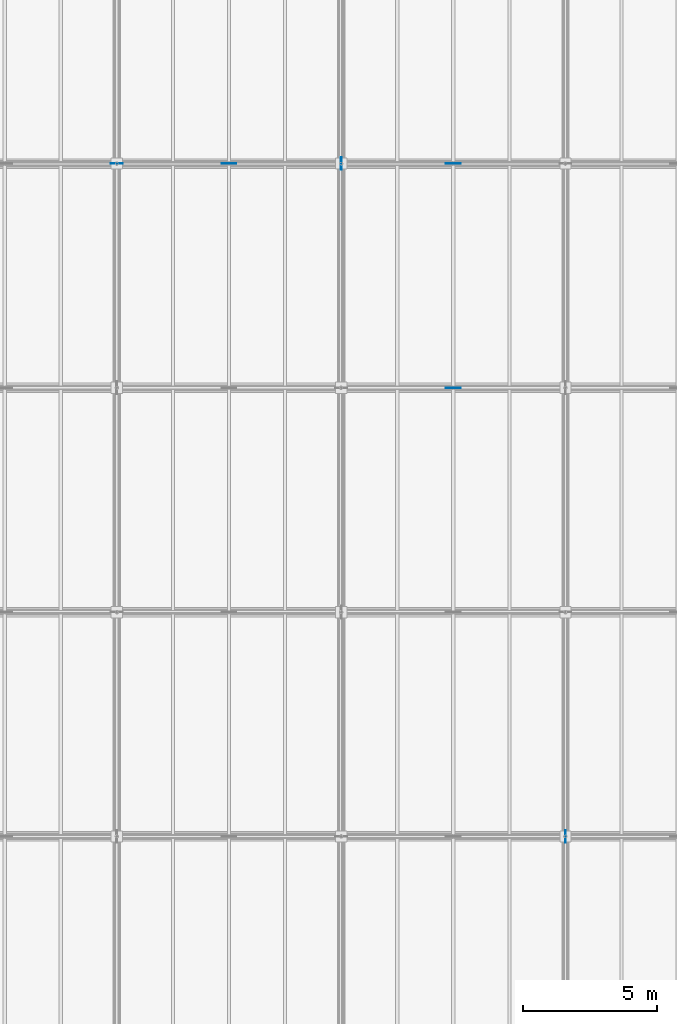
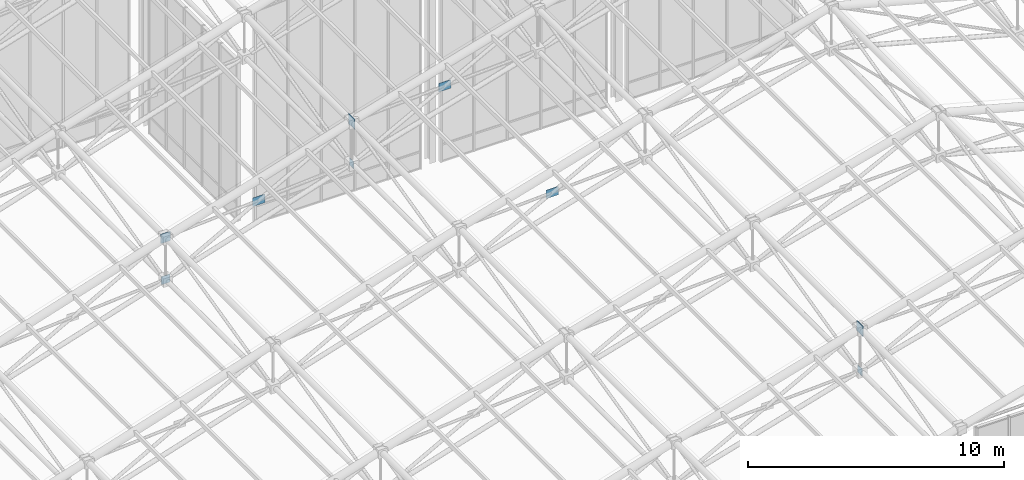
# One storey, part 119 of 144: 9 plates.
"""IFC4 building model written with IfcOpenShell, lengths in metres."""

from ifc_helpers import new_model, si_unit, direction, frame, origin, origin_2d, place, context, subcontext, project, spatial, rectangle, extrude, material, layer, layer_set, type_object, element, save


model = new_model("IFC4")

# Units and contexts
model_context = context("Model", 3, precision=1e-05, world=origin(), true_north=direction((0.0, 1.0)))
body_context = subcontext(model_context, "Body", "Model", "MODEL_VIEW")
ifc_project = project(units=[si_unit("LENGTHUNIT", "METRE"), si_unit("AREAUNIT", "SQUARE_METRE"), si_unit("VOLUMEUNIT", "CUBIC_METRE"), si_unit("PLANEANGLEUNIT", "RADIAN"), si_unit("MASSUNIT", "GRAM", prefix="KILO")], contexts=[model_context])

# Site, building, storey
site_placement = place(None, origin())
site = spatial("IfcSite", under=ifc_project, at=site_placement, CompositionType="ELEMENT")
building_placement = place(site_placement, origin())
building = spatial("IfcBuilding", under=site, at=building_placement, Name="Zayran Congress Hotel", CompositionType="ELEMENT")
storey_placement = place(building_placement, frame((0.0, 0.0, 19.199951171875)))
storey = spatial("IfcBuildingStorey", under=building, at=storey_placement, Name="L04", CompositionType="ELEMENT", Elevation=19.199951171875)

# Plates
ifc_material = material(Name="Steel S355", Category="steel")
ifc_layer_1 = layer(ifc_material, 0.02490234375)
ifc_layer_set_1 = layer_set([ifc_layer_1], Name="Steel S355")
plate_type_1 = type_object("IfcPlateType", Name="TP-SN-CP1", PredefinedType="USERDEFINED", material=ifc_layer_set_1)
plate_1_placement = place(storey_placement, frame((25.199951171875, 101.199951171875, 7.08203125), z_axis=(0.0, 0.0, 1.0), x_axis=(1.0, 0.0, 0.0)))
element("IfcPlate", 1, at=plate_1_placement, inside=storey, type_object=plate_type_1, Name="Space Frame Node Cap Plate 19", ObjectType="GUSSET_PLATE", PredefinedType="USERDEFINED", context=body_context, shape_type="SweptSolid", body=[
    extrude(rectangle(XDim=0.43994140625, YDim=0.02490234375, at=origin_2d()), origin(), (0.0, 0.0, 1.0), 0.43994140625),
])
ifc_layer_2 = layer(ifc_material, 0.02490234375)
ifc_layer_set_2 = layer_set([ifc_layer_2], Name="Steel S355")
plate_type_2 = type_object("IfcPlateType", Name="TP-SN-CP2", PredefinedType="USERDEFINED", material=ifc_layer_set_2)
plate_2_placement = place(storey_placement, frame((25.199951171875, 101.199951171875, 5.110107421875), z_axis=(0.0, 0.0, 1.0), x_axis=(1.0, 0.0, 0.0)))
element("IfcPlate", 2, at=plate_2_placement, inside=storey, type_object=plate_type_2, Name="Space Frame Node Cap Plate 96", ObjectType="GUSSET_PLATE", PredefinedType="USERDEFINED", context=body_context, shape_type="SweptSolid", body=[
    extrude(rectangle(XDim=0.3798828125, YDim=0.02490234375, at=origin_2d()), origin(), (0.0, 0.0, 1.0), 0.3798828125),
])
ifc_layer_3 = layer(ifc_material, 0.02001953125)
ifc_layer_set_3 = layer_set([ifc_layer_3], Name="Steel S355")
plate_type_3 = type_object("IfcPlateType", Name="TP-SN-CP3", PredefinedType="USERDEFINED", material=ifc_layer_set_3)
for number, where, z_axis, x_axis, name in (
    (3, (33.60009765625, 101.199951171875, 7.72998046875), (0.0, 0.0, 1.0), (0.0, 1.0, 0.0), "Space Frame Node Cap Plate 103"),
    (4, (42.0, 76.0, 10.18017578125), (0.0, 0.0, 1.0), (0.0, 1.0, 0.0), "Space Frame Node Cap Plate 107"),
):
    element("IfcPlate", number, at=place(storey_placement, frame(where, z_axis=z_axis, x_axis=x_axis)), inside=storey, type_object=plate_type_3, Name=name, ObjectType="GUSSET_PLATE", PredefinedType="USERDEFINED", context=body_context, shape_type="SweptSolid", body=[
        extrude(rectangle(XDim=0.340087890625, YDim=0.02001953125, at=origin_2d()), origin(), (0.0, 0.0, 1.0), 0.340087890625),
    ])
ifc_layer_4 = layer(ifc_material, 0.028076171875)
ifc_layer_set_4 = layer_set([ifc_layer_4], Name="Steel S355")
plate_type_4 = type_object("IfcPlateType", Name="TP-SN-CP4", PredefinedType="USERDEFINED", material=ifc_layer_set_4)
for number, where, z_axis, x_axis, name in (
    (5, (33.60009765625, 101.199951171875, 9.662109375), (0.0, 0.0, 1.0), (0.0, 1.0, 0.0), "Space Frame Node Cap Plate 26"),
    (6, (42.0, 76.0, 12.112060546875), (0.0, 0.0, 1.0), (0.0, 1.0, 0.0), "Space Frame Node Cap Plate 30"),
):
    element("IfcPlate", number, at=place(storey_placement, frame(where, z_axis=z_axis, x_axis=x_axis)), inside=storey, type_object=plate_type_4, Name=name, ObjectType="GUSSET_PLATE", PredefinedType="USERDEFINED", context=body_context, shape_type="SweptSolid", body=[
        extrude(rectangle(XDim=0.47998046875, YDim=0.028076171875, at=origin_2d()), origin(), (0.0, 0.0, 1.0), 0.47998046875),
    ])
ifc_layer_5 = layer(ifc_material, 0.02490234375)
ifc_layer_set_5 = layer_set([ifc_layer_5], Name="Steel S355")
plate_type_5 = type_object("IfcPlateType", Name="TP-GS-01", PredefinedType="USERDEFINED", material=ifc_layer_set_5)
for number, where, z_axis, x_axis, name in (
    (7, (29.39990234375, 101.199951171875, 7.401123046875), (0.0, 0.0, 1.0), (1.0, 0.0, 0.0), "V1 Brace Crossing Gusset Plate 25"),
    (8, (37.800048828125, 92.800048828125, 9.926025390625), (0.0, 0.0, 1.0), (1.0, 0.0, 0.0), "V1 Brace Crossing Gusset Plate 31"),
    (9, (37.800048828125, 101.199951171875, 9.926025390625), (0.0, 0.0, 1.0), (1.0, 0.0, 0.0), "V1 Brace Crossing Gusset Plate 32"),
):
    element("IfcPlate", number, at=place(storey_placement, frame(where, z_axis=z_axis, x_axis=x_axis)), inside=storey, type_object=plate_type_5, Name=name, ObjectType="GUSSET_PLATE", PredefinedType="USERDEFINED", context=body_context, shape_type="SweptSolid", body=[
        extrude(rectangle(XDim=0.550048828125, YDim=0.02490234375, at=origin_2d()), origin(), (0.0, 0.0, 1.0), 0.39990234375),
    ])

save(model, "model.ifc")
